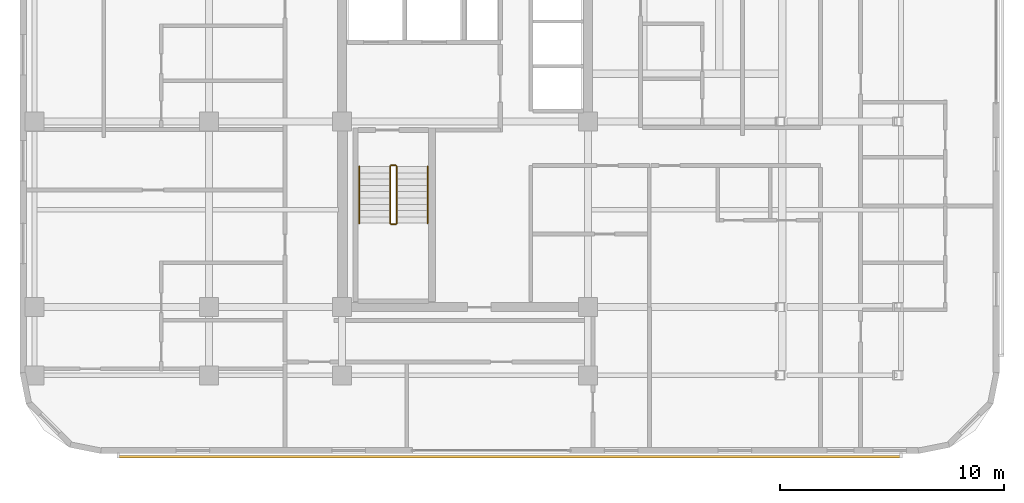
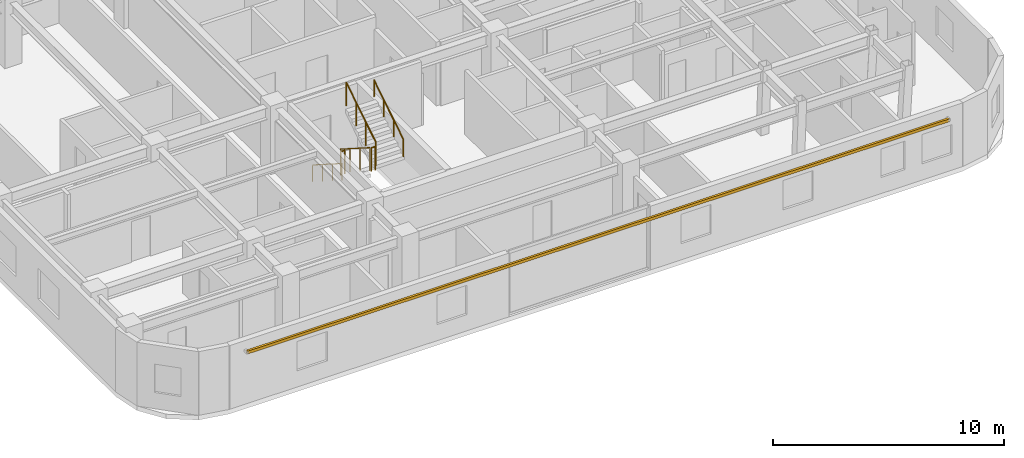
# One storey, part 11 of 14: 6 railings, 1 shading device.
"""IFC4 building model written with IfcOpenShell, lengths in metres."""

from ifc_helpers import new_model, si_unit, direction, frame, origin, origin_2d, place, context, subcontext, project, spatial, rectangle, circle, extrude, material, material_profile, profile_set, type_object, element, save


model = new_model("IFC4")

# Units and contexts
model_context = context("Model", 3, precision=1e-05, world=origin(), true_north=direction((0.0, 1.0)))
body_context = subcontext(model_context, "Body", "Model", "MODEL_VIEW")
ifc_project = project(units=[si_unit("LENGTHUNIT", "METRE"), si_unit("AREAUNIT", "SQUARE_METRE"), si_unit("VOLUMEUNIT", "CUBIC_METRE"), si_unit("PLANEANGLEUNIT", "RADIAN"), si_unit("MASSUNIT", "GRAM", prefix="KILO")], contexts=[model_context])

# Site, building, storey
site_placement = place(None, origin())
site = spatial("IfcSite", under=ifc_project, at=site_placement, CompositionType="ELEMENT")
building_placement = place(site_placement, origin())
building = spatial("IfcBuilding", under=site, at=building_placement, Name="Ochreholt Gables", CompositionType="ELEMENT")
storey_placement = place(building_placement, frame((0.0, 0.0, 109.800048828125)))
storey = spatial("IfcBuildingStorey", under=building, at=storey_placement, Name="L28", CompositionType="ELEMENT", Elevation=109.800048828125)

# Railings
ifc_material_1 = material(Name="Painted Steel Stair Guardrail", Category="steel")
railing_type_1 = type_object("IfcRailingType", Name="RL-ST-GUARD", PredefinedType="GUARDRAIL", material=ifc_material_1)
railing_1_placement = place(storey_placement, frame((26.35009765625, 15.5400390625, 0.179931640625)))
element("IfcRailing", 1, at=railing_1_placement, inside=storey, type_object=railing_type_1, Name="L28 ST-1 stair guard 1", PredefinedType="GUARDRAIL", context=body_context, shape_type="SweptSolid", body=[
    extrude(circle(Radius=0.02392578125, at=origin_2d()), frame((0.0, 0.0, 1.22607421875), z_axis=(0.0, -0.842912820907, 0.538050161556), x_axis=(1.0, 0.0, 0.0)), (0.0, 0.0, 1.0), 3.010986328125),
    extrude(circle(Radius=0.02099609375, at=origin_2d()), origin(), (0.0, 0.0, 1.0), 1.201904296875),
    extrude(circle(Radius=0.02099609375, at=origin_2d()), frame((0.0, -0.845947265625, 0.5400390625)), (0.0, 0.0, 1.0), 1.201904296875),
    extrude(circle(Radius=0.02099609375, at=origin_2d()), frame((0.0, -1.692138671875, 1.080078125)), (0.0, 0.0, 1.0), 1.201904296875),
    extrude(circle(Radius=0.02099609375, at=origin_2d()), frame((0.0, -2.5380859375, 1.6201171875)), (0.0, 0.0, 1.0), 1.201904296875),
])
railing_2_placement = place(storey_placement, frame((26.39990234375, 12.951904296875, 1.800048828125)))
element("IfcRailing", 2, at=railing_2_placement, inside=storey, type_object=railing_type_1, Name="L28 ST-1 stair guard 2", PredefinedType="GUARDRAIL", context=body_context, shape_type="SweptSolid", body=[
    extrude(circle(Radius=0.02392578125, at=origin_2d()), frame((0.0, 0.0, 1.22607421875), z_axis=(1.0, 0.0, 0.0), x_axis=(0.0, 1.0, 0.0)), (0.0, 0.0, 1.0), 0.2001953125),
    extrude(circle(Radius=0.02099609375, at=origin_2d()), origin(), (0.0, 0.0, 1.0), 1.201904296875),
    extrude(circle(Radius=0.02099609375, at=origin_2d()), frame((0.2001953125, 0.0, 0.0)), (0.0, 0.0, 1.0), 1.201904296875),
])
railing_3_placement = place(storey_placement, frame((26.64990234375, 13.001953125, 1.97998046875)))
element("IfcRailing", 3, at=railing_3_placement, inside=storey, type_object=railing_type_1, Name="L28 ST-1 stair guard 3", PredefinedType="GUARDRAIL", context=body_context, shape_type="SweptSolid", body=[
    extrude(circle(Radius=0.02392578125, at=origin_2d()), frame((0.0, 0.0, 1.22607421875), z_axis=(0.0, 0.842949592929, 0.537992549931), x_axis=(-1.0, 0.0, 0.0)), (0.0, 0.0, 1.0), 3.010986328125),
    extrude(circle(Radius=0.02099609375, at=origin_2d()), origin(), (0.0, 0.0, 1.0), 1.201904296875),
    extrude(circle(Radius=0.02099609375, at=origin_2d()), frame((0.0, 0.845947265625, 0.5400390625)), (0.0, 0.0, 1.0), 1.201904296875),
    extrude(circle(Radius=0.02099609375, at=origin_2d()), frame((0.0, 1.692138671875, 1.079833984375)), (0.0, 0.0, 1.0), 1.201904296875),
    extrude(circle(Radius=0.02099609375, at=origin_2d()), frame((0.0, 2.5380859375, 1.619873046875)), (0.0, 0.0, 1.0), 1.201904296875),
])
railing_4_placement = place(storey_placement, frame((26.39990234375, 15.590087890625, 0.0)))
element("IfcRailing", 4, at=railing_4_placement, inside=storey, type_object=railing_type_1, Name="L28 ST-1 stair guard 4", PredefinedType="GUARDRAIL", context=body_context, shape_type="SweptSolid", body=[
    extrude(circle(Radius=0.02392578125, at=origin_2d()), frame((0.0, 0.0, 1.22607421875), z_axis=(1.0, 0.0, 0.0), x_axis=(0.0, 1.0, 0.0)), (0.0, 0.0, 1.0), 0.2001953125),
    extrude(circle(Radius=0.02099609375, at=origin_2d()), origin(), (0.0, 0.0, 1.0), 1.201904296875),
    extrude(circle(Radius=0.02099609375, at=origin_2d()), frame((0.2001953125, 0.0, 0.0)), (0.0, 0.0, 1.0), 1.201904296875),
])
ifc_material_2 = material(Name="Brushed Stainless Steel Wall Handrail", Category="steel")
railing_type_2 = type_object("IfcRailingType", Name="RL-ST-HAND", PredefinedType="HANDRAIL", material=ifc_material_2)
railing_5_placement = place(storey_placement, frame((24.969970703125, 15.5400390625, 0.179931640625)))
element("IfcRailing", 5, at=railing_5_placement, inside=storey, type_object=railing_type_2, Name="L28 ST-1 stair handrail 1", PredefinedType="HANDRAIL", context=body_context, shape_type="SweptSolid", body=[
    extrude(circle(Radius=0.02392578125, at=origin_2d()), frame((0.0, 0.0, 0.8759765625), z_axis=(0.0, -0.842912820907, 0.538050161556), x_axis=(1.0, 0.0, 0.0)), (0.0, 0.0, 1.0), 3.010986328125),
    extrude(circle(Radius=0.02099609375, at=origin_2d()), origin(), (0.0, 0.0, 1.0), 0.851806640625),
    extrude(circle(Radius=0.02099609375, at=origin_2d()), frame((0.0, -0.845947265625, 0.5400390625)), (0.0, 0.0, 1.0), 0.851806640625),
    extrude(circle(Radius=0.02099609375, at=origin_2d()), frame((0.0, -1.692138671875, 1.080078125)), (0.0, 0.0, 1.0), 0.851806640625),
    extrude(circle(Radius=0.02099609375, at=origin_2d()), frame((0.0, -2.5380859375, 1.6201171875)), (0.0, 0.0, 1.0), 0.851806640625),
])
railing_6_placement = place(storey_placement, frame((28.030029296875, 13.001953125, 1.97998046875)))
element("IfcRailing", 6, at=railing_6_placement, inside=storey, type_object=railing_type_2, Name="L28 ST-1 stair handrail 2", PredefinedType="HANDRAIL", context=body_context, shape_type="SweptSolid", body=[
    extrude(circle(Radius=0.02392578125, at=origin_2d()), frame((0.0, 0.0, 0.8759765625), z_axis=(0.0, 0.842949592929, 0.537992549931), x_axis=(-1.0, 0.0, 0.0)), (0.0, 0.0, 1.0), 3.010986328125),
    extrude(circle(Radius=0.02099609375, at=origin_2d()), origin(), (0.0, 0.0, 1.0), 0.851806640625),
    extrude(circle(Radius=0.02099609375, at=origin_2d()), frame((0.0, 0.845947265625, 0.5400390625)), (0.0, 0.0, 1.0), 0.851806640625),
    extrude(circle(Radius=0.02099609375, at=origin_2d()), frame((0.0, 1.692138671875, 1.079833984375)), (0.0, 0.0, 1.0), 0.851806640625),
    extrude(circle(Radius=0.02099609375, at=origin_2d()), frame((0.0, 2.5380859375, 1.619873046875)), (0.0, 0.0, 1.0), 0.851806640625),
])

# Shading device
ifc_material_3 = material(Name="Warm Ochre Glazed Terracotta Baguette", Category="masonry")
ifc_material_profile = material_profile(ifc_material_3, rectangle(XDim=0.110107421875, YDim=0.14990234375, at=origin_2d()), Name="TCBAG110X150")
ifc_profile_set = profile_set([ifc_material_profile], Name="Warm Ochre Glazed Terracotta Baguette")
shading_device_type = type_object("IfcShadingDeviceType", Name="SHD-BAGUETTE", PredefinedType="USERDEFINED", material=ifc_profile_set)
shading_device_placement = place(storey_placement, frame((14.199951171875, 2.550048828125, 2.83984375), z_axis=(1.0, 0.0, 0.0), x_axis=(0.0, 1.0, 0.0)))
element("IfcShadingDevice", 7, at=shading_device_placement, inside=storey, type_object=shading_device_type, Name="L28 Terracotta Baguette Screen S-1", ObjectType="BAGUETTE", PredefinedType="USERDEFINED", context=body_context, shape_type="SweptSolid", body=[
    extrude(rectangle(XDim=0.110107421875, YDim=0.14990234375, at=origin_2d()), origin(), (0.0, 0.0, 1.0), 35.0),
])

save(model, "model.ifc")
